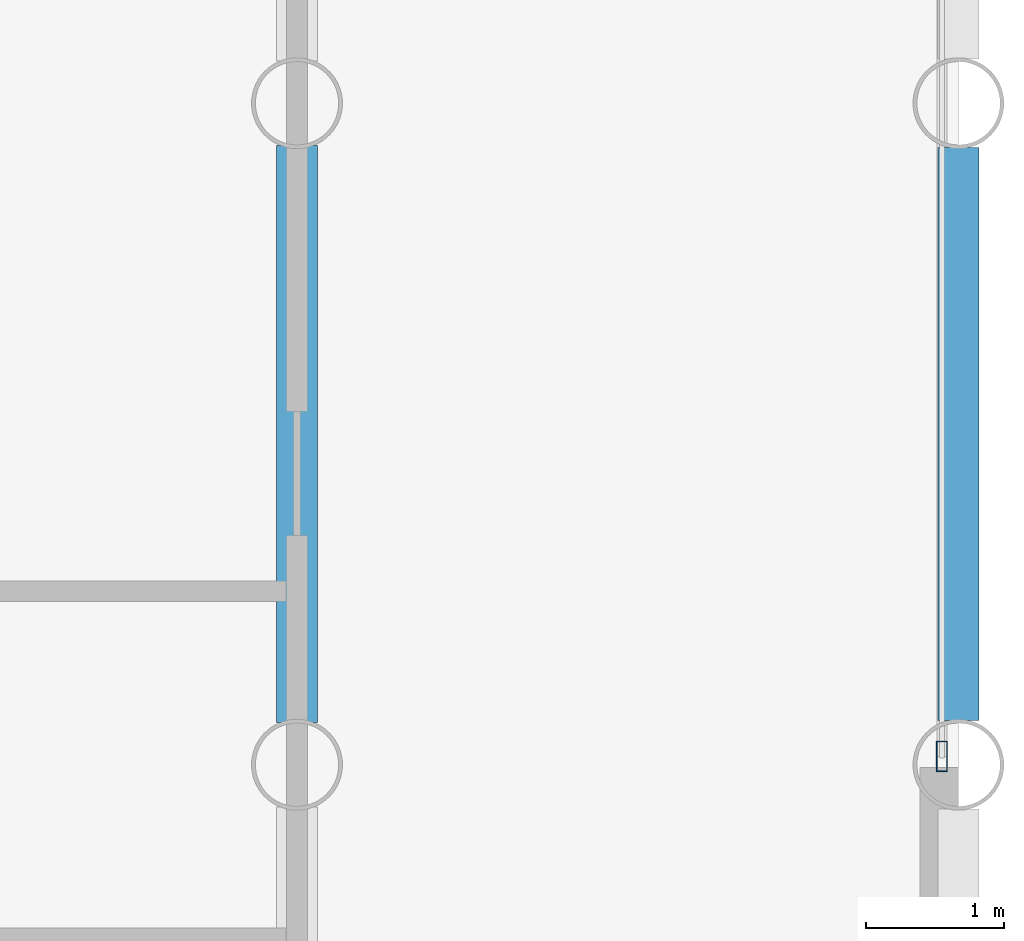
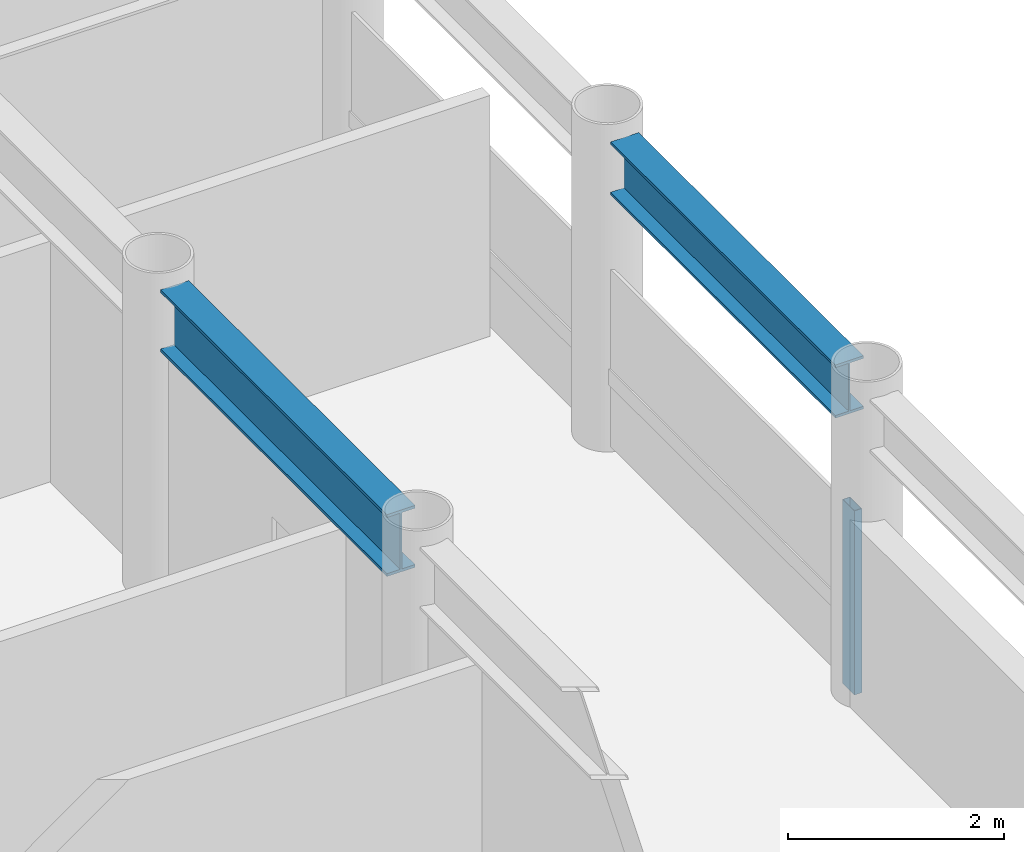
# One storey, part 8 of 20: 2 beams, 1 member, 1 element without a shape of its own.
"""IFC4 building model written with IfcOpenShell, lengths in metres."""

from ifc_helpers import new_model, si_unit, direction, frame, origin, origin_2d, place, context, subcontext, project, spatial, hollow_rectangle, i_section, extrude, material, layer, layer_set, material_profile, profile_set, type_object, element, aggregate, save


model = new_model("IFC4")

# Units and contexts
model_context = context("Model", 3, precision=1e-05, world=origin(), true_north=direction((0.0, 1.0)))
body_context = subcontext(model_context, "Body", "Model", "MODEL_VIEW")
ifc_project = project(units=[si_unit("LENGTHUNIT", "METRE"), si_unit("AREAUNIT", "SQUARE_METRE"), si_unit("VOLUMEUNIT", "CUBIC_METRE"), si_unit("PLANEANGLEUNIT", "RADIAN"), si_unit("MASSUNIT", "GRAM", prefix="KILO")], contexts=[model_context])

# Site, building, storey
site_placement = place(None, origin())
site = spatial("IfcSite", under=ifc_project, at=site_placement, CompositionType="ELEMENT")
building_placement = place(site_placement, origin())
building = spatial("IfcBuilding", under=site, at=building_placement, Name="Kallvorn Hotel Tower", CompositionType="ELEMENT")
storey_placement = place(building_placement, frame((0.0, 0.0, 98.89990234375)))
storey = spatial("IfcBuildingStorey", under=building, at=storey_placement, Name="L23", CompositionType="ELEMENT", Elevation=98.89990234375)

# Beams
ifc_material_1 = material(Name="Structural steel S355JR", Category="steel")
ifc_material_profile_1 = material_profile(ifc_material_1, i_section(OverallWidth=0.300048828125, OverallDepth=0.60009765625, WebThickness=0.015380859375, FlangeThickness=0.030029296875, at=origin_2d()), Name="HE 600 B")
ifc_profile_set_1 = profile_set([ifc_material_profile_1], Name="Structural steel S355JR")
beam_type_1 = type_object("IfcBeamType", Name="BM_HE600B", PredefinedType="SPANDREL", material=ifc_profile_set_1)
beam_1_placement = place(storey_placement, frame((33.60009765625, 0.320068359375, 3.22021484375), z_axis=(0.0, 1.0, 0.0), x_axis=(-1.0, 0.0, 0.0)))
element("IfcBeam", 1, at=beam_1_placement, inside=storey, type_object=beam_type_1, Name="L24 Perimeter Spandrel 185", PredefinedType="SPANDREL", context=body_context, shape_type="SweptSolid", body=[
    extrude(i_section(OverallWidth=0.300048828125, OverallDepth=0.60009765625, WebThickness=0.015380859375, FlangeThickness=0.030029296875, at=origin_2d()), origin(), (0.0, 0.0, 1.0), 4.159912109375),
])
ifc_material_2 = material(Name="Structural steel S355JR", Category="steel")
ifc_material_profile_2 = material_profile(ifc_material_2, i_section(OverallWidth=0.300048828125, OverallDepth=0.699951171875, WebThickness=0.01708984375, FlangeThickness=0.031982421875, at=origin_2d()), Name="HE 700 B")
ifc_profile_set_2 = profile_set([ifc_material_profile_2], Name="Structural steel S355JR")
beam_type_2 = type_object("IfcBeamType", Name="BM_HE700B", PredefinedType="BEAM", material=ifc_profile_set_2)
beam_2_placement = place(storey_placement, frame((28.800048828125, 0.304931640625, 3.170166015625), z_axis=(0.0, 1.0, 0.0), x_axis=(-1.0, 0.0, 0.0)))
element("IfcBeam", 2, at=beam_2_placement, inside=storey, type_object=beam_type_2, Name="L24 Primary Y-Girder 146", PredefinedType="BEAM", context=body_context, shape_type="SweptSolid", body=[
    extrude(i_section(OverallWidth=0.300048828125, OverallDepth=0.699951171875, WebThickness=0.01708984375, FlangeThickness=0.031982421875, at=origin_2d()), origin(), (0.0, 0.0, 1.0), 4.190185546875),
])

# Curtain wall, member
ifc_material_3 = material(Name="Thermally broken black-anodised aluminium AA 6063-T6", Category="aluminium")
ifc_layer = layer(ifc_material_3, 0.199951171875)
ifc_layer_set = layer_set([ifc_layer], Name="CW_SYS_3_HOTEL_LOW")
curtain_wall_type = type_object("IfcCurtainWallType", Name="CW_SYS_3_HOTEL_LOW", PredefinedType="USERDEFINED", material=ifc_layer_set)
curtain_wall_placement = place(storey_placement, origin())
curtain_wall = element("IfcCurtainWall", 3, at=curtain_wall_placement, inside=storey, type_object=curtain_wall_type, Name="L23 Dark-Glass Curtain Wall CW-L23-EN", ObjectType="UNITISED CURTAIN WALL", PredefinedType="USERDEFINED")
ifc_material_4 = material(Name="Thermally broken black-anodised aluminium AA 6063-T6", Category="aluminium")
ifc_material_profile_3 = material_profile(ifc_material_4, hollow_rectangle(XDim=0.080078125, YDim=0.219970703125, WallThickness=0.0048828125, at=origin_2d()), Name="MUL 220x80")
ifc_profile_set_3 = profile_set([ifc_material_profile_3], Name="Thermally broken black-anodised aluminium AA 6063-T6")
member_type = type_object("IfcMemberType", Name="CW_MULLION_220x80", PredefinedType="MULLION", material=ifc_profile_set_3)
member_placement = place(storey_placement, frame((33.47998046875, 0.06005859375, 0.02001953125), z_axis=(0.0, 0.0, 1.0), x_axis=(1.0, 0.0, 0.0)))
member = element("IfcMember", 4, at=member_placement, type_object=member_type, Name="CW-L23-EN Mullion 00", PredefinedType="MULLION", context=body_context, shape_type="SweptSolid", body=[
    extrude(hollow_rectangle(XDim=0.080078125, YDim=0.219970703125, WallThickness=0.0048828125, at=origin_2d()), origin(), (0.0, 0.0, 1.0), 2.080078125),
])
aggregate(curtain_wall, [member])

save(model, "model.ifc")
